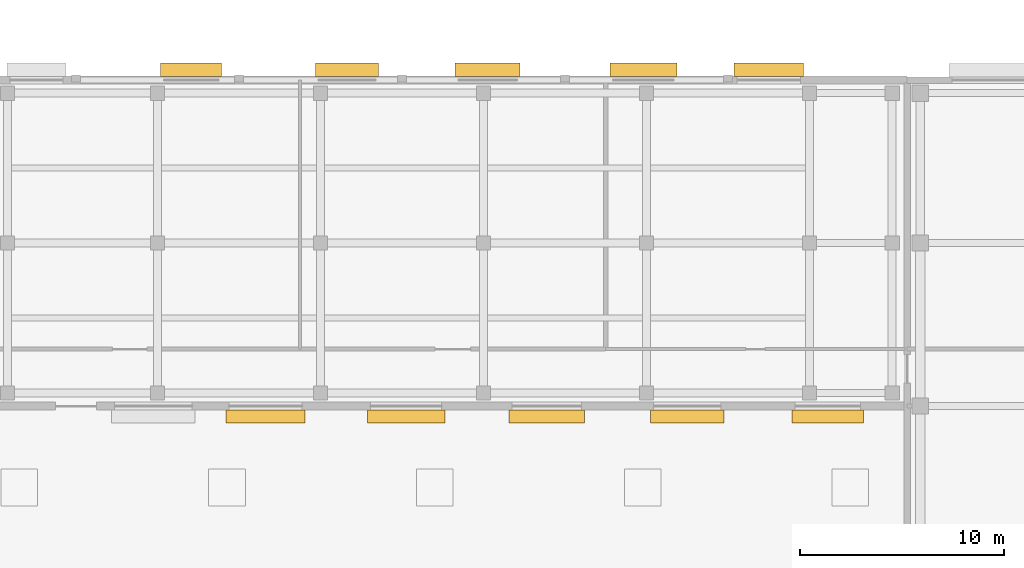
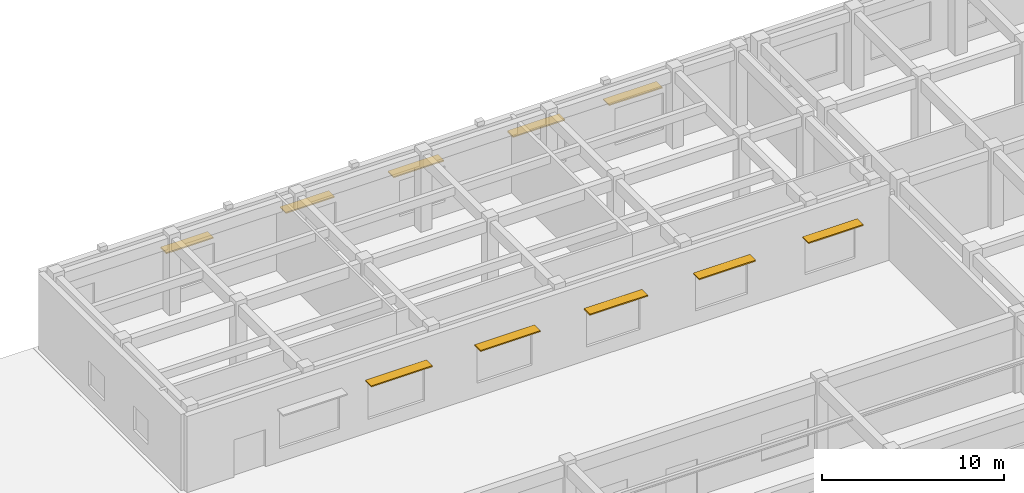
# One storey, part 44 of 46: 10 shading devices.
"""IFC4 building model written with IfcOpenShell, lengths in metres."""

import ifcopenshell
import ifcopenshell.guid

model = None  # the IFC model being written
_history = None  # IfcOwnerHistory: only IFC2X3 demands one
_inside = {}  # id of a spatial element -> (the spatial element, [elements in it])
_under = {}  # id of a project, library or spatial element -> (it, [spatial elements below it])
_declared = {}  # id of a project -> (the project, [libraries it declares])
_typed = {}  # id of a type object -> (the type object, [elements of that type])
_made_of = {}  # id of a material, layer set ... -> (it, [elements and type objects made of it])


def new_model(schema):
    """Start an empty IFC model of exactly this schema.

    Asked for "IFC4X3", IfcOpenShell would pick the latest addendum, in which some entities
    have other attributes; the version numbers below select the first issue.
    IFC2X3 requires an IfcOwnerHistory on every rooted entity: one is made here for all.
    """
    global model, _history
    if schema == "IFC4X3":
        model = ifcopenshell.file(schema_version=(4, 3, 0, 0))
    else:
        model = ifcopenshell.file(schema=schema)
    _inside.clear()
    _under.clear()
    _declared.clear()
    _typed.clear()
    _made_of.clear()
    _history = None
    if model.schema == "IFC2X3":
        org = make("IfcOrganization", Name="unknown")
        user = make(
            "IfcPersonAndOrganization",
            ThePerson=make("IfcPerson", FamilyName="unknown"),
            TheOrganization=org,
        )
        app = make(
            "IfcApplication",
            ApplicationDeveloper=org,
            Version="unknown",
            ApplicationFullName="unknown",
            ApplicationIdentifier="unknown",
        )
        _history = make(
            "IfcOwnerHistory",
            OwningUser=user,
            OwningApplication=app,
            ChangeAction="ADDED",
            CreationDate=0,
        )
    return model


def make(cls, **values):
    """One entity of the class cls with the attributes given. An attribute that is None is left unset."""
    return model.create_entity(
        cls, **{name: value for name, value in values.items() if value is not None}
    )


def rooted(cls, **values):
    """An entity with a GlobalId (a new one), such as an element, a storey or a relation."""
    return make(cls, GlobalId=ifcopenshell.guid.new(), OwnerHistory=_history, **values)


def si_unit(unit_type, name, prefix=None):
    """IfcSIUnit, for example si_unit("LENGTHUNIT", "METRE", prefix="MILLI")."""
    return make("IfcSIUnit", UnitType=unit_type, Prefix=prefix, Name=name)


def assignment(units):
    """IfcUnitAssignment: the units of a project."""
    return None if units is None else make("IfcUnitAssignment", Units=units)


def point(xyz):
    """IfcCartesianPoint."""
    return None if xyz is None else make("IfcCartesianPoint", Coordinates=xyz)


def direction(xyz):
    """IfcDirection."""
    return None if xyz is None else make("IfcDirection", DirectionRatios=xyz)


def frame(location, z_axis=None, x_axis=None):
    """IfcAxis2Placement3D, a coordinate frame: its origin and axes. An axis left out is left unset."""
    return make(
        "IfcAxis2Placement3D",
        Location=point(location),
        Axis=direction(z_axis),
        RefDirection=direction(x_axis),
    )


def frame_2d(location, x_axis=None):
    """IfcAxis2Placement2D, a coordinate frame in the plane: its origin and x axis."""
    return make(
        "IfcAxis2Placement2D", Location=point(location), RefDirection=direction(x_axis)
    )


def origin():
    """The frame at (0, 0, 0) with its axes left unset."""
    return frame((0.0, 0.0, 0.0))


def origin_2d():
    """The frame at (0, 0) in the plane with its x axis left unset."""
    return frame_2d((0.0, 0.0))


def place(relative_to, where):
    """IfcLocalPlacement: puts the frame where relative to a parent placement (None: the world)."""
    return make(
        "IfcLocalPlacement", PlacementRelTo=relative_to, RelativePlacement=where
    )


def context(
    kind, dimensions, precision=None, world=None, true_north=None, identifier=None
):
    """IfcGeometricRepresentationContext, for example the 3D "Model" context."""
    return make(
        "IfcGeometricRepresentationContext",
        ContextIdentifier=identifier,
        ContextType=kind,
        CoordinateSpaceDimension=dimensions,
        Precision=precision,
        WorldCoordinateSystem=world,
        TrueNorth=true_north,
    )


def subcontext(parent, identifier, kind, view, scale=None):
    """IfcGeometricRepresentationSubContext, for example "Body" below "Model"."""
    return make(
        "IfcGeometricRepresentationSubContext",
        ContextIdentifier=identifier,
        ContextType=kind,
        ParentContext=parent,
        TargetScale=scale,
        TargetView=view,
    )


def project(units=None, contexts=None):
    """IfcProject with its units and contexts."""
    return rooted(
        "IfcProject",
        Name="project",
        RepresentationContexts=contexts,
        UnitsInContext=assignment(units),
    )


def spatial(cls, under=None, at=None, **own):
    """A site, building, storey or space (cls), placed at a placement, below another one or the project."""
    s = rooted(cls, ObjectPlacement=at, **own)
    if under is not None:
        _under.setdefault(under.id(), (under, []))[1].append(s)
    return s


def profile(cls, at=None, kind="AREA", **sizes):
    """A parametric profile (cls). Its sizes go by their IFC names, for example OverallWidth=200.0."""
    return make(cls, ProfileType=kind, Position=at, **sizes)


def rectangle(**sizes):
    """IfcRectangleProfileDef."""
    return profile("IfcRectangleProfileDef", **sizes)


def extrude(swept, where, along, depth):
    """IfcExtrudedAreaSolid: the profile swept, set in the frame where, extruded along a direction by depth."""
    return make(
        "IfcExtrudedAreaSolid",
        SweptArea=swept,
        Position=where,
        ExtrudedDirection=direction(along),
        Depth=depth,
    )


def shape(context_of_items, identifier, shape_type, items):
    """IfcShapeRepresentation: the items that make up one representation, for example the "Body"."""
    return make(
        "IfcShapeRepresentation",
        ContextOfItems=context_of_items,
        RepresentationIdentifier=identifier,
        RepresentationType=shape_type,
        Items=items,
    )


def material(Name=None, Category=None):
    """IfcMaterial."""
    return make("IfcMaterial", Name=Name, Category=Category)


def made_of(thing, what):
    """Note that an element or type object is made of a material, layer set ...; save() writes the relation."""
    if what is not None:
        _made_of.setdefault(what.id(), (what, []))[1].append(thing)
    return thing


def type_object(cls, material=None, **own):
    """A type object (cls), such as IfcWallType, which elements share."""
    return made_of(rooted(cls, **own), material)


def element(
    cls,
    number,
    at=None,
    inside=None,
    cuts=None,
    type_object=None,
    material=None,
    context=None,
    identifier="Body",
    shape_type=None,
    held_by="IfcProductDefinitionShape",
    body=None,
    shapes=None,
    **own,
):
    """One element of the class cls, such as IfcWall. Its Tag is "e" and its number.

    at: its placement. inside: the storey or other place that contains it. cuts: it is an
    opening in that element (IfcRelVoidsElement). A single representation is given by context,
    identifier, shape_type and body (its items); several are given by shapes. held_by: the class
    of the entity that holds the representations. save() writes the other relations.
    """
    e = rooted(cls, Tag="e%d" % number, ObjectPlacement=at, **own)
    if body is not None:
        shapes = [shape(context, identifier, shape_type, body)]
    if shapes is not None:
        e.Representation = make(held_by, Representations=shapes)
    if inside is not None:
        _inside.setdefault(inside.id(), (inside, []))[1].append(e)
    if cuts is not None:
        rooted(
            "IfcRelVoidsElement", RelatingBuildingElement=cuts, RelatedOpeningElement=e
        )
    if type_object is not None:
        _typed.setdefault(type_object.id(), (type_object, []))[1].append(e)
    return made_of(e, material)


def aggregate(whole, parts):
    """IfcRelAggregates: a whole, such as a stair, and the parts it consists of."""
    return rooted("IfcRelAggregates", RelatingObject=whole, RelatedObjects=parts)


def save(model, path):
    """Write the relations noted so far, then the file.

    IfcRelAggregates (storeys below a building ...), IfcRelContainedInSpatialStructure (elements
    in a storey), IfcRelDefinesByType, IfcRelAssociatesMaterial and IfcRelDeclares: one each for
    every whole, place, type object, material and project.
    """
    for whole, parts in _under.values():
        aggregate(whole, parts)
    for where, things in _inside.values():
        rooted(
            "IfcRelContainedInSpatialStructure",
            RelatedElements=things,
            RelatingStructure=where,
        )
    for kind, things in _typed.values():
        rooted("IfcRelDefinesByType", RelatedObjects=things, RelatingType=kind)
    for what, things in _made_of.values():
        rooted("IfcRelAssociatesMaterial", RelatedObjects=things, RelatingMaterial=what)
    for by, libraries in _declared.values():
        rooted("IfcRelDeclares", RelatingContext=by, RelatedDefinitions=libraries)
    model.write(path)


model = new_model("IFC4")

# Units and contexts
model_context = context("Model", 3, precision=1e-05, world=origin(), true_north=direction((0.0, 1.0)))
body_context = subcontext(model_context, "Body", "Model", "MODEL_VIEW")
ifc_project = project(units=[si_unit("LENGTHUNIT", "METRE"), si_unit("AREAUNIT", "SQUARE_METRE"), si_unit("VOLUMEUNIT", "CUBIC_METRE"), si_unit("PLANEANGLEUNIT", "RADIAN"), si_unit("MASSUNIT", "GRAM", prefix="KILO")], contexts=[model_context])

# Site, building, storey
site_placement = place(None, origin())
site = spatial("IfcSite", under=ifc_project, at=site_placement, CompositionType="ELEMENT")
building_placement = place(site_placement, origin())
building = spatial("IfcBuilding", under=site, at=building_placement, Name="Cinchona Park Media Centre", CompositionType="ELEMENT")
storey_placement = place(building_placement, origin())
storey = spatial("IfcBuildingStorey", under=building, at=storey_placement, Name="L00", CompositionType="ELEMENT", Elevation=0.0)

# Shading devices
ifc_material = material(Name="Anodised Aluminium Horizontal Brise-Soleil", Category="aluminium")
shading_device_type = type_object("IfcShadingDeviceType", Name="SHADING-SUN01", PredefinedType="AWNING", material=ifc_material)
shading_device_1_placement = place(storey_placement, frame((104.449951171875, 118.510009765625, 3.27001953125), z_axis=(0.0, 0.0, 1.0), x_axis=(1.0, 0.0, 0.0)))
element("IfcShadingDevice", 1, at=shading_device_1_placement, inside=storey, type_object=shading_device_type, Name="Horizontal Sunshade SHD02 L00", PredefinedType="AWNING", context=body_context, shape_type="SweptSolid", body=[
    extrude(rectangle(XDim=3.0, YDim=0.64990234375, at=origin_2d()), origin(), (0.0, 0.0, 1.0), 0.080078125),
])
shading_device_2_placement = place(storey_placement, frame((112.10009765625, 118.510009765625, 3.320068359375), z_axis=(0.0, 0.0, 1.0), x_axis=(1.0, 0.0, 0.0)))
element("IfcShadingDevice", 2, at=shading_device_2_placement, inside=storey, type_object=shading_device_type, Name="Horizontal Sunshade SHD02 L00", PredefinedType="AWNING", context=body_context, shape_type="SweptSolid", body=[
    extrude(rectangle(XDim=3.10009765625, YDim=0.64990234375, at=origin_2d()), origin(), (0.0, 0.0, 1.0), 0.080078125),
])
shading_device_3_placement = place(storey_placement, frame((119.0, 118.510009765625, 3.320068359375), z_axis=(0.0, 0.0, 1.0), x_axis=(1.0, 0.0, 0.0)))
element("IfcShadingDevice", 3, at=shading_device_3_placement, inside=storey, type_object=shading_device_type, Name="Horizontal Sunshade SHD02 L00", PredefinedType="AWNING", context=body_context, shape_type="SweptSolid", body=[
    extrude(rectangle(XDim=3.199951171875, YDim=0.64990234375, at=origin_2d()), origin(), (0.0, 0.0, 1.0), 0.080078125),
])
shading_device_4_placement = place(storey_placement, frame((126.64990234375, 118.510009765625, 3.369873046875), z_axis=(0.0, 0.0, 1.0), x_axis=(1.0, 0.0, 0.0)))
element("IfcShadingDevice", 4, at=shading_device_4_placement, inside=storey, type_object=shading_device_type, Name="Horizontal Sunshade SHD02 L00", PredefinedType="AWNING", context=body_context, shape_type="SweptSolid", body=[
    extrude(rectangle(XDim=3.300048828125, YDim=0.64990234375, at=origin_2d()), origin(), (0.0, 0.0, 1.0), 0.080078125),
])
shading_device_5_placement = place(storey_placement, frame((132.800048828125, 118.510009765625, 3.369873046875), z_axis=(0.0, 0.0, 1.0), x_axis=(1.0, 0.0, 0.0)))
element("IfcShadingDevice", 5, at=shading_device_5_placement, inside=storey, type_object=shading_device_type, Name="Horizontal Sunshade SHD02 L00", PredefinedType="AWNING", context=body_context, shape_type="SweptSolid", body=[
    extrude(rectangle(XDim=3.39990234375, YDim=0.64990234375, at=origin_2d()), origin(), (0.0, 0.0, 1.0), 0.080078125),
])
shading_device_6_placement = place(storey_placement, frame((135.699951171875, 101.489990234375, 3.419921875), z_axis=(0.0, 0.0, 1.0), x_axis=(-1.0, 0.0, 0.0)))
element("IfcShadingDevice", 6, at=shading_device_6_placement, inside=storey, type_object=shading_device_type, Name="Horizontal Sunshade SHD02 L00", PredefinedType="AWNING", context=body_context, shape_type="SweptSolid", body=[
    extrude(rectangle(XDim=3.5, YDim=0.64990234375, at=origin_2d()), origin(), (0.0, 0.0, 1.0), 0.080078125),
])
shading_device_7_placement = place(storey_placement, frame((128.800048828125, 101.489990234375, 3.419921875), z_axis=(0.0, 0.0, 1.0), x_axis=(-1.0, 0.0, 0.0)))
element("IfcShadingDevice", 7, at=shading_device_7_placement, inside=storey, type_object=shading_device_type, Name="Horizontal Sunshade SHD02 L00", PredefinedType="AWNING", context=body_context, shape_type="SweptSolid", body=[
    extrude(rectangle(XDim=3.60009765625, YDim=0.64990234375, at=origin_2d()), origin(), (0.0, 0.0, 1.0), 0.080078125),
])
shading_device_8_placement = place(storey_placement, frame((121.89990234375, 101.489990234375, 3.469970703125), z_axis=(0.0, 0.0, 1.0), x_axis=(-1.0, 0.0, 0.0)))
element("IfcShadingDevice", 8, at=shading_device_8_placement, inside=storey, type_object=shading_device_type, Name="Horizontal Sunshade SHD02 L00", PredefinedType="AWNING", context=body_context, shape_type="SweptSolid", body=[
    extrude(rectangle(XDim=3.699951171875, YDim=0.64990234375, at=origin_2d()), origin(), (0.0, 0.0, 1.0), 0.080078125),
])
shading_device_9_placement = place(storey_placement, frame((115.0, 101.489990234375, 3.469970703125), z_axis=(0.0, 0.0, 1.0), x_axis=(-1.0, 0.0, 0.0)))
element("IfcShadingDevice", 9, at=shading_device_9_placement, inside=storey, type_object=shading_device_type, Name="Horizontal Sunshade SHD02 L00", PredefinedType="AWNING", context=body_context, shape_type="SweptSolid", body=[
    extrude(rectangle(XDim=3.800048828125, YDim=0.64990234375, at=origin_2d()), origin(), (0.0, 0.0, 1.0), 0.080078125),
])
shading_device_10_placement = place(storey_placement, frame((108.10009765625, 101.489990234375, 3.52001953125), z_axis=(0.0, 0.0, 1.0), x_axis=(-1.0, 0.0, 0.0)))
element("IfcShadingDevice", 10, at=shading_device_10_placement, inside=storey, type_object=shading_device_type, Name="Horizontal Sunshade SHD02 L00", PredefinedType="AWNING", context=body_context, shape_type="SweptSolid", body=[
    extrude(rectangle(XDim=3.89990234375, YDim=0.64990234375, at=origin_2d()), origin(), (0.0, 0.0, 1.0), 0.080078125),
])

save(model, "model.ifc")
